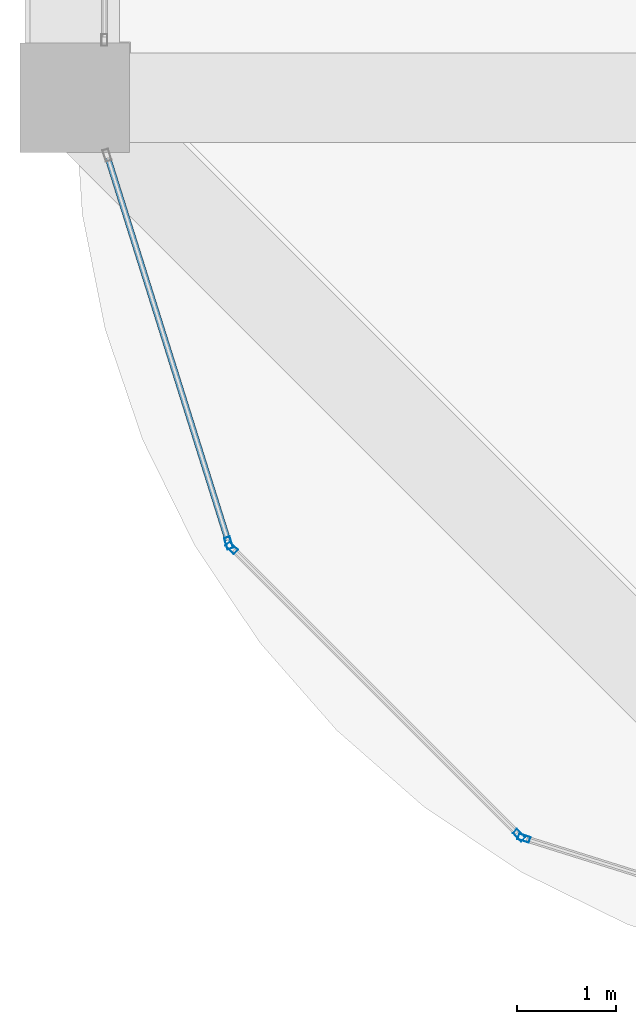
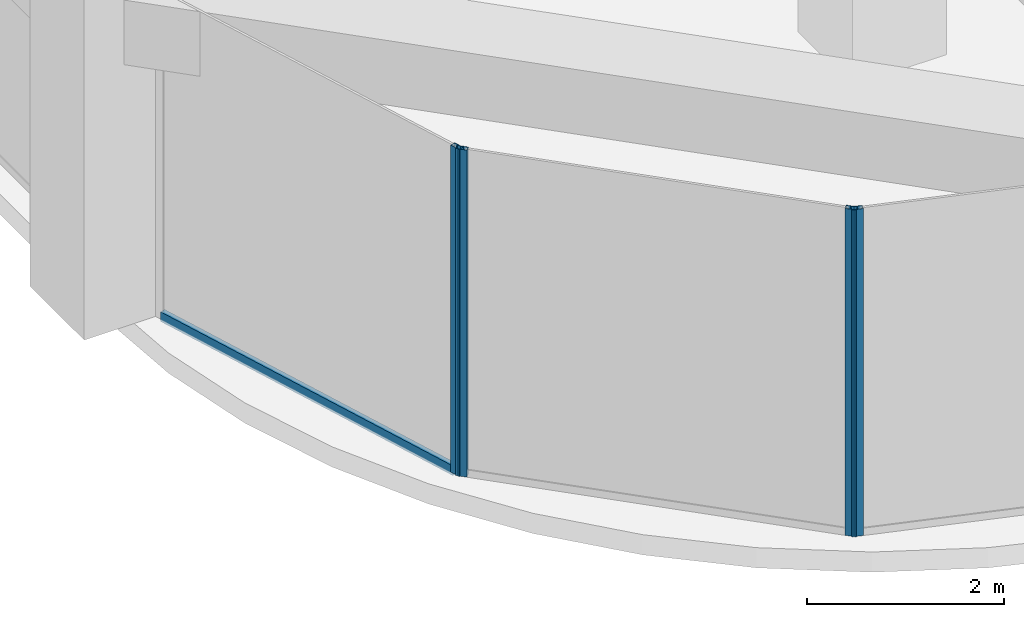
# One storey, part 2 of 44: 5 members, 3 elements without a shape of their own.
"""IFC4 building model written with IfcOpenShell, lengths in metres."""

from ifc_helpers import new_model, si_unit, direction, frame, origin, origin_2d, place, context, subcontext, project, spatial, hollow_rectangle, extrude, material, material_profile, profile_set, type_object, element, aggregate, save


model = new_model("IFC4")

# Units and contexts
model_context = context("Model", 3, precision=1e-05, world=origin(), true_north=direction((0.0, 1.0)))
body_context = subcontext(model_context, "Body", "Model", "MODEL_VIEW")
ifc_project = project(units=[si_unit("LENGTHUNIT", "METRE"), si_unit("AREAUNIT", "SQUARE_METRE"), si_unit("VOLUMEUNIT", "CUBIC_METRE"), si_unit("PLANEANGLEUNIT", "RADIAN"), si_unit("MASSUNIT", "GRAM", prefix="KILO")], contexts=[model_context])

# Site, building, storey
site_placement = place(None, origin())
site = spatial("IfcSite", under=ifc_project, at=site_placement, CompositionType="ELEMENT")
building_placement = place(site_placement, origin())
building = spatial("IfcBuilding", under=site, at=building_placement, Name="Zorevar Civic Tower", CompositionType="ELEMENT")
storey_placement = place(building_placement, frame((0.0, 0.0, 307.39990234375)))
storey = spatial("IfcBuildingStorey", under=building, at=storey_placement, Name="L75", CompositionType="ELEMENT", Elevation=307.39990234375)

# Curtain wall, member
ifc_material_1 = material(Name="Dark grey solar-control glass in black aluminium frame", Category="aluminium")
curtain_wall_type = type_object("IfcCurtainWallType", Name="Curtain wall CW5 top zone", PredefinedType="NOTDEFINED", material=ifc_material_1)
curtain_wall_1_placement = place(storey_placement, origin())
curtain_wall_1 = element("IfcCurtainWall", 1, at=curtain_wall_1_placement, inside=storey, type_object=curtain_wall_type, Name="CW5 L75", PredefinedType="NOTDEFINED")
ifc_material_2 = material(Name="Aluminium, black anodised", Category="aluminium")
ifc_material_profile_1 = material_profile(ifc_material_2, hollow_rectangle(XDim=0.06005859375, YDim=0.1201171875, WallThickness=0.0029296875, at=origin_2d()), Name="AL 120x60x3")
ifc_profile_set_1 = profile_set([ifc_material_profile_1], Name="Aluminium, black anodised")
member_type_1 = type_object("IfcMemberType", Name="CW5 mullion AL 120x60x3", PredefinedType="MULLION", material=ifc_profile_set_1)
member_1_placement = place(storey_placement, frame((10.550048828125, 4.520751953125, 0.0), z_axis=(0.0, 0.0, 1.0), x_axis=(0.954153437674, 0.299317920238, 0.0)))
member_1 = element("IfcMember", 2, at=member_1_placement, type_object=member_type_1, Name="CW5 mullion 2", PredefinedType="MULLION", context=body_context, shape_type="SweptSolid", body=[
    extrude(hollow_rectangle(XDim=0.06005859375, YDim=0.1201171875, WallThickness=0.0029296875, at=origin_2d()), origin(), (0.0, 0.0, 1.0), 4.050048828125),
])

# Curtain wall, members
curtain_wall_2_placement = place(storey_placement, origin())
curtain_wall_2 = element("IfcCurtainWall", 3, at=curtain_wall_2_placement, inside=storey, type_object=curtain_wall_type, Name="CW5 L75", PredefinedType="NOTDEFINED")
member_2_placement = place(storey_placement, frame((10.580322265625, 4.470947265625, 0.0), z_axis=(0.0, 0.0, 1.0), x_axis=(0.707106781187, 0.707106781187, 0.0)))
member_2 = element("IfcMember", 4, at=member_2_placement, type_object=member_type_1, Name="CW5 mullion 1", PredefinedType="MULLION", context=body_context, shape_type="SweptSolid", body=[
    extrude(hollow_rectangle(XDim=0.06005859375, YDim=0.1201171875, WallThickness=0.0029296875, at=origin_2d()), origin(), (0.0, 0.0, 1.0), 4.050048828125),
])
member_3_placement = place(storey_placement, frame((13.470947265625, 1.580322265625, 0.0), z_axis=(0.0, 0.0, 1.0), x_axis=(0.707106781187, 0.707106781187, 0.0)))
member_3 = element("IfcMember", 5, at=member_3_placement, type_object=member_type_1, Name="CW5 mullion 2", PredefinedType="MULLION", context=body_context, shape_type="SweptSolid", body=[
    extrude(hollow_rectangle(XDim=0.06005859375, YDim=0.1201171875, WallThickness=0.0029296875, at=origin_2d()), origin(), (0.0, 0.0, 1.0), 4.050048828125),
])
aggregate(curtain_wall_2, [member_2, member_3])

# Curtain wall, member
curtain_wall_3_placement = place(storey_placement, origin())
curtain_wall_3 = element("IfcCurtainWall", 6, at=curtain_wall_3_placement, inside=storey, type_object=curtain_wall_type, Name="CW5 L75", PredefinedType="NOTDEFINED")
member_4_placement = place(storey_placement, frame((13.520751953125, 1.550048828125, 0.0), z_axis=(0.0, 0.0, 1.0), x_axis=(0.299317920238, 0.954153437674, 0.0)))
member_4 = element("IfcMember", 7, at=member_4_placement, type_object=member_type_1, Name="CW5 mullion 1", PredefinedType="MULLION", context=body_context, shape_type="SweptSolid", body=[
    extrude(hollow_rectangle(XDim=0.06005859375, YDim=0.1201171875, WallThickness=0.0029296875, at=origin_2d()), origin(), (0.0, 0.0, 1.0), 4.050048828125),
])
aggregate(curtain_wall_3, [member_4])

# Member
ifc_material_3 = material(Name="Aluminium, black anodised", Category="aluminium")
ifc_material_profile_2 = material_profile(ifc_material_3, hollow_rectangle(XDim=0.06005859375, YDim=0.1201171875, WallThickness=0.0029296875, at=origin_2d()), Name="AL 120x60x3")
ifc_profile_set_2 = profile_set([ifc_material_profile_2], Name="Aluminium, black anodised")
member_type_2 = type_object("IfcMemberType", Name="CW5 transom AL 120x60x3", PredefinedType="USERDEFINED", material=ifc_profile_set_2)
member_5_placement = place(storey_placement, frame((9.33544921875, 8.392822265625, 0.030029296875), z_axis=(0.299285978047, -0.954163457351, 0.0), x_axis=(0.954163457351, 0.299285978047, 0.0)))
member_5 = element("IfcMember", 8, at=member_5_placement, type_object=member_type_2, Name="CW5 sill transom", ObjectType="TRANSOM", PredefinedType="USERDEFINED", context=body_context, shape_type="SweptSolid", body=[
    extrude(hollow_rectangle(XDim=0.06005859375, YDim=0.1201171875, WallThickness=0.0029296875, at=origin_2d()), origin(), (0.0, 0.0, 1.0), 4.028076171875),
])

aggregate(curtain_wall_1, [member_1, member_5])

save(model, "model.ifc")
